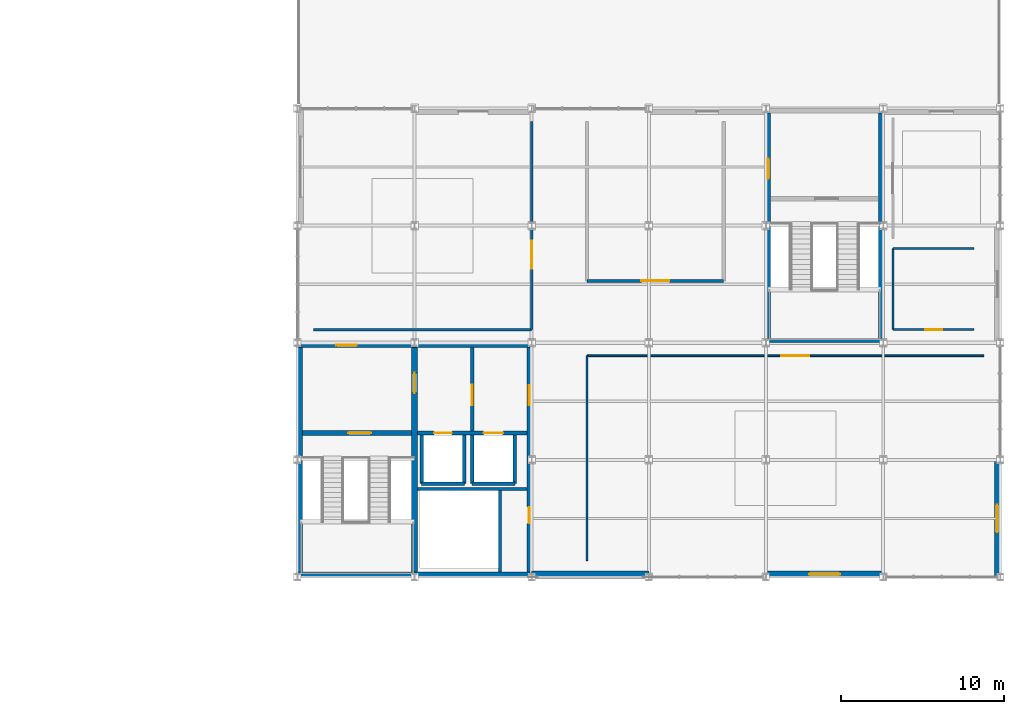
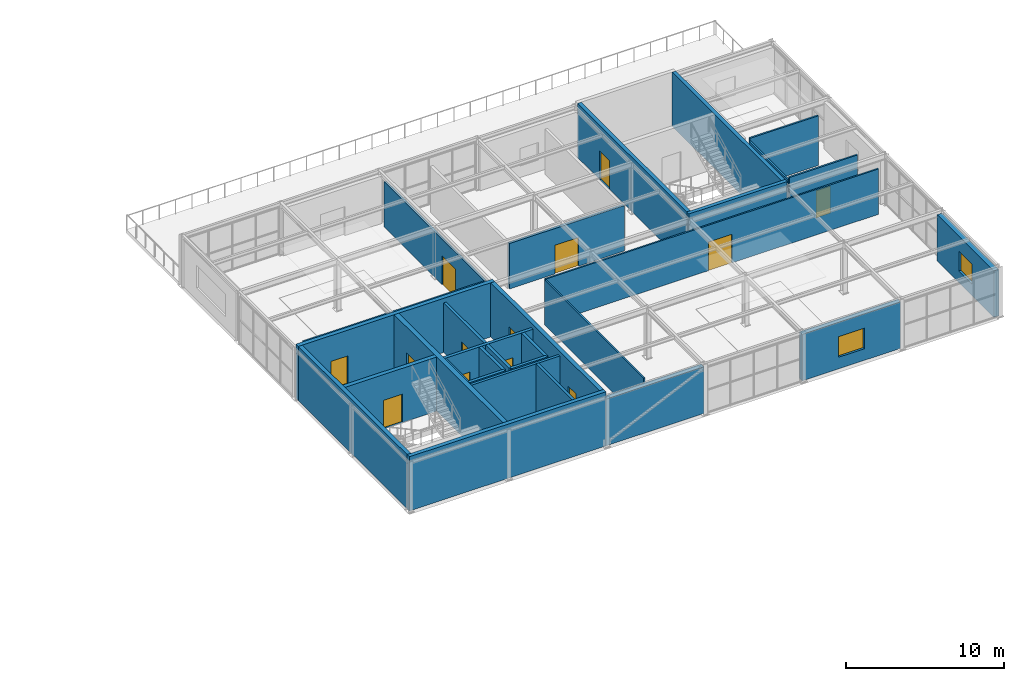
# One storey, part 24 of 30: 30 walls, 13 doors, 2 windows, 15 openings.
"""IFC4 building model written with IfcOpenShell, lengths in metres."""

from ifc_helpers import new_model, si_unit, direction, frame, frame_2d, origin, place, context, subcontext, project, spatial, rectangle, extrude, material, layer, layer_set, type_object, element, fill, save


model = new_model("IFC4")

# Units and contexts
model_context = context("Model", 3, precision=1e-05, world=origin(), true_north=direction((0.0, 1.0)))
body_context = subcontext(model_context, "Body", "Model", "MODEL_VIEW")
ifc_project = project(units=[si_unit("LENGTHUNIT", "METRE"), si_unit("AREAUNIT", "SQUARE_METRE"), si_unit("VOLUMEUNIT", "CUBIC_METRE"), si_unit("PLANEANGLEUNIT", "RADIAN"), si_unit("MASSUNIT", "GRAM", prefix="KILO")], contexts=[model_context])

# Site, building, storey
site_placement = place(None, origin())
site = spatial("IfcSite", under=ifc_project, at=site_placement, CompositionType="ELEMENT")
building_placement = place(site_placement, origin())
building = spatial("IfcBuilding", under=site, at=building_placement, Name="Leyfeld Transit Interchange", CompositionType="ELEMENT")
storey_placement = place(building_placement, frame((0.0, 0.0, 13.800048828125)))
storey = spatial("IfcBuildingStorey", under=building, at=storey_placement, Name="L03", CompositionType="ELEMENT", Elevation=13.800048828125)

# Wall, opening, window
ifc_material_1 = material(Name="Leitha limestone ashlar - Insulated", Category="masonry")
ifc_layer_1 = layer(ifc_material_1, 0.360107421875, Name="Leitha limestone ashlar - Insulated")
ifc_layer_set_1 = layer_set([ifc_layer_1], Name="Leitha limestone ashlar - Insulated")
wall_type_1 = type_object("IfcWallType", Name="WL-EXT-STN-360", PredefinedType="SOLIDWALL", material=ifc_layer_set_1)
wall_1_placement = place(storey_placement, frame((179.820068359375, 64.800048828125, 0.0), z_axis=(0.0, 0.0, 1.0), x_axis=(0.0, -1.0, 0.0)))
wall_1 = element("IfcWall", 1, at=wall_1_placement, inside=storey, type_object=wall_type_1, Name="External Facade Wall EW-L03-117", PredefinedType="SOLIDWALL", context=body_context, shape_type="SweptSolid", body=[
    extrude(rectangle(XDim=7.199951171875, YDim=0.360107421875, at=frame_2d((3.60009765625, 0.0))), origin(), (0.0, 0.0, 1.0), 3.599853515625),
])
opening_1_placement = place(wall_1_placement, frame((2.75, 0.0, 0.89990234375)))
opening_1 = element("IfcOpeningElement", 2, at=opening_1_placement, cuts=wall_1, Name="Opening WM-04", PredefinedType="OPENING", context=body_context, shape_type="SweptSolid", body=[
    extrude(rectangle(XDim=1.699951171875, YDim=1.550048828125, at=frame_2d((0.85009765625, 0.77490234375))), frame((0.0, 0.18994140625, 0.0), z_axis=(0.0, -1.0, 0.0), x_axis=(1.0, 0.0, 0.0)), (0.0, 0.0, 1.0), 0.380126953125),
])
ifc_material_2 = material(Name="Triple low-E insulated glazing", Category="glass")
window_type_1 = type_object("IfcWindowType", Name="WIN-MOD-04", PartitioningType="SINGLE_PANEL", PredefinedType="WINDOW", material=ifc_material_2)
window_1_placement = place(opening_1_placement, origin())
window_1 = element("IfcWindow", 3, at=window_1_placement, inside=storey, type_object=window_type_1, Name="Facade Window L03 081", OverallHeight=1.550048828125, OverallWidth=1.699951171875, PartitioningType="SINGLE_PANEL", PredefinedType="WINDOW", context=body_context, shape_type="SweptSolid", body=[
    extrude(rectangle(XDim=1.699951171875, YDim=1.550048828125, at=frame_2d((0.85009765625, 0.77490234375))), frame((0.0, 0.030029296875, 0.0), z_axis=(0.0, -1.0, 0.0), x_axis=(1.0, 0.0, 0.0)), (0.0, 0.0, 1.0), 0.06005859375),
])
fill(opening_1, window_1)

wall_2_placement = place(storey_placement, frame((172.800048828125, 57.780029296875, 0.0), z_axis=(0.0, 0.0, 1.0), x_axis=(-1.0, 0.0, 0.0)))
wall_2 = element("IfcWall", 4, at=wall_2_placement, inside=storey, type_object=wall_type_1, Name="External Facade Wall EW-L03-118", PredefinedType="SOLIDWALL", context=body_context, shape_type="SweptSolid", body=[
    extrude(rectangle(XDim=7.199951171875, YDim=0.360107421875, at=frame_2d((3.60009765625, 0.0))), origin(), (0.0, 0.0, 1.0), 3.599853515625),
])
opening_2_placement = place(wall_2_placement, frame((2.64990234375, 0.0, 0.89990234375)))
opening_2 = element("IfcOpeningElement", 5, at=opening_2_placement, cuts=wall_2, Name="Opening WM-05", PredefinedType="OPENING", context=body_context, shape_type="SweptSolid", body=[
    extrude(rectangle(XDim=1.89990234375, YDim=1.60009765625, at=frame_2d((0.949951171875, 0.800048828125))), frame((0.0, 0.18994140625, 0.0), z_axis=(0.0, -1.0, 0.0), x_axis=(1.0, 0.0, 0.0)), (0.0, 0.0, 1.0), 0.380126953125),
])
window_type_2 = type_object("IfcWindowType", Name="WIN-MOD-05", PartitioningType="SINGLE_PANEL", PredefinedType="WINDOW", material=ifc_material_2)
window_2_placement = place(opening_2_placement, origin())
window_2 = element("IfcWindow", 6, at=window_2_placement, inside=storey, type_object=window_type_2, Name="Facade Window L03 082", OverallHeight=1.60009765625, OverallWidth=1.89990234375, PartitioningType="SINGLE_PANEL", PredefinedType="WINDOW", context=body_context, shape_type="SweptSolid", body=[
    extrude(rectangle(XDim=1.89990234375, YDim=1.60009765625, at=frame_2d((0.949951171875, 0.800048828125))), frame((0.0, 0.030029296875, 0.0), z_axis=(0.0, -1.0, 0.0), x_axis=(1.0, 0.0, 0.0)), (0.0, 0.0, 1.0), 0.06005859375),
])
fill(opening_2, window_2)

# Walls
wall_3_placement = place(storey_placement, frame((158.39990234375, 57.780029296875, 0.0), z_axis=(0.0, 0.0, 1.0), x_axis=(-1.0, 0.0, 0.0)))
element("IfcWall", 7, at=wall_3_placement, inside=storey, type_object=wall_type_1, Name="External Facade Wall EW-L03-119", PredefinedType="SOLIDWALL", context=body_context, shape_type="SweptSolid", body=[
    extrude(rectangle(XDim=7.199951171875, YDim=0.360107421875, at=frame_2d((3.60009765625, 0.0))), origin(), (0.0, 0.0, 1.0), 3.619873046875),
])
ifc_material_3 = material(Name="Gypsum plasterboard acoustic stud", Category="gypsum")
ifc_layer_2 = layer(ifc_material_3, 0.159912109375, Name="Gypsum plasterboard acoustic stud")
ifc_layer_set_2 = layer_set([ifc_layer_2], Name="Gypsum plasterboard acoustic stud")
wall_type_2 = type_object("IfcWallType", Name="WL-INT-ACU-160", PredefinedType="PARTITIONING", material=ifc_layer_set_2)
wall_4_placement = place(storey_placement, frame((151.199951171875, 72.800048828125, 0.0), z_axis=(0.0, 0.0, 1.0), x_axis=(-1.0, 0.0, 0.0)))
element("IfcWall", 8, at=wall_4_placement, inside=storey, type_object=wall_type_2, Name="Interior Partition L03-SEM-01 S", PredefinedType="PARTITIONING", context=body_context, shape_type="SweptSolid", body=[
    extrude(rectangle(XDim=13.39990234375, YDim=0.159912109375, at=frame_2d((6.699951171875, 0.0))), origin(), (0.0, 0.0, 1.0), 3.579833984375),
])

# Wall, opening, door
wall_5_placement = place(storey_placement, frame((151.199951171875, 85.60009765625, 0.0), z_axis=(0.0, 0.0, 1.0), x_axis=(0.0, -1.0, 0.0)))
wall_5 = element("IfcWall", 9, at=wall_5_placement, inside=storey, type_object=wall_type_2, Name="Interior Partition L03-SEM-01 E", PredefinedType="PARTITIONING", context=body_context, shape_type="SweptSolid", body=[
    extrude(rectangle(XDim=12.800048828125, YDim=0.159912109375, at=frame_2d((6.39990234375, 0.0))), origin(), (0.0, 0.0, 1.0), 3.530029296875),
])
opening_3_placement = place(wall_5_placement, frame((7.340087890625, 0.0, 0.0)))
opening_3 = element("IfcOpeningElement", 10, at=opening_3_placement, cuts=wall_5, Name="Opening DU-18", PredefinedType="OPENING", context=body_context, shape_type="SweptSolid", body=[
    extrude(rectangle(XDim=1.719970703125, YDim=2.219970703125, at=frame_2d((0.85986328125, 1.10986328125))), frame((0.0, 0.08984375, 0.0), z_axis=(0.0, -1.0, 0.0), x_axis=(1.0, 0.0, 0.0)), (0.0, 0.0, 1.0), 0.179931640625),
])
ifc_material_4 = material(Name="Austrian larch glulam GL28h", Category="wood")
door_type_1 = type_object("IfcDoorType", Name="DR-UNQ-18", OperationType="NOTDEFINED", PredefinedType="DOOR", material=ifc_material_4)
door_1_placement = place(opening_3_placement, origin())
door_1 = element("IfcDoor", 11, at=door_1_placement, inside=storey, type_object=door_type_1, Name="DR-L03-SEM-01", OperationType="DOUBLE_DOOR_SINGLE_SWING", OverallHeight=2.219970703125, OverallWidth=1.719970703125, PredefinedType="DOOR", context=body_context, shape_type="SweptSolid", body=[
    extrude(rectangle(XDim=1.719970703125, YDim=2.219970703125, at=frame_2d((0.85986328125, 1.10986328125))), frame((0.0, 0.02490234375, 0.0), z_axis=(0.0, -1.0, 0.0), x_axis=(1.0, 0.0, 0.0)), (0.0, 0.0, 1.0), 0.050048828125),
])
fill(opening_3, door_1)

ifc_material_5 = material(Name="Concrete C35/45", Category="concrete")
ifc_layer_3 = layer(ifc_material_5, 0.199951171875, Name="Concrete C35/45")
ifc_layer_set_3 = layer_set([ifc_layer_3], Name="Concrete C35/45")
wall_type_3 = type_object("IfcWallType", Name="WL-INT-FFL-200", PredefinedType="PARTITIONING", material=ifc_layer_set_3)
wall_6_placement = place(storey_placement, frame((147.550048828125, 66.56005859375, 0.0), z_axis=(0.0, 0.0, 1.0), x_axis=(0.0, 1.0, 0.0)))
wall_6 = element("IfcWall", 12, at=wall_6_placement, inside=storey, type_object=wall_type_3, Name="Core K4 Firefighting Lobby Compartment Wall L03", PredefinedType="PARTITIONING", context=body_context, shape_type="SweptSolid", body=[
    extrude(rectangle(XDim=5.139892578125, YDim=0.199951171875, at=frame_2d((2.56982421875, 0.0))), origin(), (0.0, 0.0, 1.0), 3.849853515625),
])
opening_4_placement = place(wall_6_placement, frame((1.60009765625, 0.0, 0.0)))
opening_4 = element("IfcOpeningElement", 13, at=opening_4_placement, cuts=wall_6, Name="Opening DI-02", PredefinedType="OPENING", context=body_context, shape_type="SweptSolid", body=[
    extrude(rectangle(XDim=1.25, YDim=2.199951171875, at=frame_2d((0.625, 1.10009765625))), frame((0.0, 0.10986328125, 0.0), z_axis=(0.0, -1.0, 0.0), x_axis=(1.0, 0.0, 0.0)), (0.0, 0.0, 1.0), 0.219970703125),
])
ifc_material_6 = material(Name="Galvanised steel S275JR", Category="steel")
door_type_2 = type_object("IfcDoorType", Name="DR-FFL-1250x2200", OperationType="NOTDEFINED", PredefinedType="DOOR", material=ifc_material_6)
door_2_placement = place(opening_4_placement, origin())
door_2 = element("IfcDoor", 14, at=door_2_placement, inside=storey, type_object=door_type_2, Name="DR-FFL-CON-K4-L03", OperationType="SINGLE_SWING_LEFT", OverallHeight=2.199951171875, OverallWidth=1.25, PredefinedType="DOOR", context=body_context, shape_type="SweptSolid", body=[
    extrude(rectangle(XDim=1.25, YDim=2.199951171875, at=frame_2d((0.625, 1.10009765625))), frame((0.0, 0.02490234375, 0.0), z_axis=(0.0, -1.0, 0.0), x_axis=(1.0, 0.0, 0.0)), (0.0, 0.0, 1.0), 0.050048828125),
])
fill(opening_4, door_2)

wall_7_placement = place(storey_placement, frame((163.0, 75.800048828125, 0.0), z_axis=(0.0, 0.0, 1.0), x_axis=(-1.0, 0.0, 0.0)))
wall_7 = element("IfcWall", 15, at=wall_7_placement, inside=storey, type_object=wall_type_3, Name="Interior Partition L03-LAB-01 S", PredefinedType="PARTITIONING", context=body_context, shape_type="SweptSolid", body=[
    extrude(rectangle(XDim=8.39990234375, YDim=0.199951171875, at=frame_2d((4.199951171875, 0.0))), origin(), (0.0, 0.0, 1.0), 3.52001953125),
])
opening_5_placement = place(wall_7_placement, frame((3.340087890625, 0.0, 0.0)))
opening_5 = element("IfcOpeningElement", 16, at=opening_5_placement, cuts=wall_7, Name="Opening DU-18", PredefinedType="OPENING", context=body_context, shape_type="SweptSolid", body=[
    extrude(rectangle(XDim=1.719970703125, YDim=2.219970703125, at=frame_2d((0.85986328125, 1.10986328125))), frame((0.0, 0.10986328125, 0.0), z_axis=(0.0, -1.0, 0.0), x_axis=(1.0, 0.0, 0.0)), (0.0, 0.0, 1.0), 0.219970703125),
])
door_3_placement = place(opening_5_placement, origin())
door_3 = element("IfcDoor", 17, at=door_3_placement, inside=storey, type_object=door_type_1, Name="DR-L03-LAB-01", OperationType="DOUBLE_DOOR_SINGLE_SWING", OverallHeight=2.219970703125, OverallWidth=1.719970703125, PredefinedType="DOOR", context=body_context, shape_type="SweptSolid", body=[
    extrude(rectangle(XDim=1.719970703125, YDim=2.219970703125, at=frame_2d((0.85986328125, 1.10986328125))), frame((0.0, 0.02490234375, 0.0), z_axis=(0.0, -1.0, 0.0), x_axis=(1.0, 0.0, 0.0)), (0.0, 0.0, 1.0), 0.050048828125),
])
fill(opening_5, door_3)

ifc_layer_4 = layer(ifc_material_3, 0.114990234375, Name="Gypsum plasterboard acoustic stud")
ifc_layer_set_4 = layer_set([ifc_layer_4], Name="Gypsum plasterboard acoustic stud")
wall_type_4 = type_object("IfcWallType", Name="WL-INT-OFF-115", PredefinedType="PARTITIONING", material=ifc_layer_set_4)
wall_8_placement = place(storey_placement, frame((154.60009765625, 71.199951171875, 0.0), z_axis=(0.0, 0.0, 1.0), x_axis=(1.0, 0.0, 0.0)))
wall_8 = element("IfcWall", 18, at=wall_8_placement, inside=storey, type_object=wall_type_4, Name="Interior Partition L03-STU-01 N", PredefinedType="PARTITIONING", context=body_context, shape_type="SweptSolid", body=[
    extrude(rectangle(XDim=24.39990234375, YDim=0.114990234375, at=frame_2d((12.199951171875, 0.0))), origin(), (0.0, 0.0, 1.0), 3.52001953125),
])
opening_6_placement = place(wall_8_placement, frame((11.93994140625, 0.0, 0.0)))
opening_6 = element("IfcOpeningElement", 19, at=opening_6_placement, cuts=wall_8, Name="Opening DU-18", PredefinedType="OPENING", context=body_context, shape_type="SweptSolid", body=[
    extrude(rectangle(XDim=1.719970703125, YDim=2.219970703125, at=frame_2d((0.85986328125, 1.10986328125))), frame((0.0, 0.0673828125, 0.0), z_axis=(0.0, -1.0, 0.0), x_axis=(1.0, 0.0, 0.0)), (0.0, 0.0, 1.0), 0.135009765625),
])
door_4_placement = place(opening_6_placement, origin())
door_4 = element("IfcDoor", 20, at=door_4_placement, inside=storey, type_object=door_type_1, Name="DR-L03-STU-01", OperationType="DOUBLE_DOOR_SINGLE_SWING", OverallHeight=2.219970703125, OverallWidth=1.719970703125, PredefinedType="DOOR", context=body_context, shape_type="SweptSolid", body=[
    extrude(rectangle(XDim=1.719970703125, YDim=2.219970703125, at=frame_2d((0.85986328125, 1.10986328125))), frame((0.0, 0.02490234375, 0.0), z_axis=(0.0, -1.0, 0.0), x_axis=(1.0, 0.0, 0.0)), (0.0, 0.0, 1.0), 0.050048828125),
])
fill(opening_6, door_4)

# Walls
wall_9_placement = place(storey_placement, frame((154.60009765625, 58.60009765625, 0.0), z_axis=(0.0, 0.0, 1.0), x_axis=(0.0, 1.0, 0.0)))
element("IfcWall", 21, at=wall_9_placement, inside=storey, type_object=wall_type_4, Name="Interior Partition L03-STU-01 W", PredefinedType="PARTITIONING", context=body_context, shape_type="SweptSolid", body=[
    extrude(rectangle(XDim=12.599853515625, YDim=0.114990234375, at=frame_2d((6.2998046875, 0.0))), origin(), (0.0, 0.0, 1.0), 3.469970703125),
])
ifc_material_7 = material(Name="Calcium silicate masonry", Category="masonry")
ifc_layer_5 = layer(ifc_material_7, 0.18994140625, Name="Calcium silicate masonry")
ifc_layer_set_5 = layer_set([ifc_layer_5], Name="Calcium silicate masonry")
wall_type_5 = type_object("IfcWallType", Name="WL-INT-PLT-190", PredefinedType="PARTITIONING", material=ifc_layer_set_5)
wall_10_placement = place(storey_placement, frame((144.179931640625, 63.02001953125, 0.0), z_axis=(0.0, 0.0, 1.0), x_axis=(1.0, 0.0, 0.0)))
element("IfcWall", 22, at=wall_10_placement, inside=storey, type_object=wall_type_5, Name="Core K4 Riser Compartment Wall L03", PredefinedType="PARTITIONING", context=body_context, shape_type="SweptSolid", body=[
    extrude(rectangle(XDim=6.719970703125, YDim=0.18994140625, at=frame_2d((3.35986328125, 0.0))), origin(), (0.0, 0.0, 1.0), 3.849853515625),
])
wall_11_placement = place(storey_placement, frame((149.25, 57.89990234375, 0.0), z_axis=(0.0, 0.0, 1.0), x_axis=(0.0, 1.0, 0.0)))
element("IfcWall", 23, at=wall_11_placement, inside=storey, type_object=wall_type_5, Name="Core K4 Riser Shaft East Wall L03", PredefinedType="PARTITIONING", context=body_context, shape_type="SweptSolid", body=[
    extrude(rectangle(XDim=5.030029296875, YDim=0.18994140625, at=frame_2d((2.51513671875, 0.0))), origin(), (0.0, 0.0, 1.0), 3.849853515625),
])

# Wall, openings, doors
ifc_layer_6 = layer(ifc_material_5, 0.219970703125, Name="Concrete C35/45")
ifc_layer_set_6 = layer_set([ifc_layer_6], Name="Concrete C35/45")
wall_type_6 = type_object("IfcWallType", Name="WL-INT-SHF-220", PredefinedType="PARTITIONING", material=ifc_layer_set_6)
wall_12_placement = place(storey_placement, frame((144.179931640625, 66.449951171875, 0.0), z_axis=(0.0, 0.0, 1.0), x_axis=(1.0, 0.0, 0.0)))
wall_12 = element("IfcWall", 24, at=wall_12_placement, inside=storey, type_object=wall_type_6, Name="Core K4 Lift Shaft Front Wall L03", PredefinedType="PARTITIONING", context=body_context, shape_type="SweptSolid", body=[
    extrude(rectangle(XDim=6.719970703125, YDim=0.219970703125, at=frame_2d((3.35986328125, 0.0))), origin(), (0.0, 0.0, 1.0), 3.849853515625),
])
opening_7_placement = place(wall_12_placement, frame((1.02001953125, 0.0, 0.0)))
opening_7 = element("IfcOpeningElement", 25, at=opening_7_placement, cuts=wall_12, Name="Opening LD-01", PredefinedType="OPENING", context=body_context, shape_type="SweptSolid", body=[
    extrude(rectangle(XDim=1.10009765625, YDim=2.14990234375, at=frame_2d((0.550048828125, 1.074951171875))), frame((0.0, 0.119873046875, 0.0), z_axis=(0.0, -1.0, 0.0), x_axis=(1.0, 0.0, 0.0)), (0.0, 0.0, 1.0), 0.239990234375),
])
opening_8_placement = place(wall_12_placement, frame((4.070068359375, 0.0, 0.0)))
opening_8 = element("IfcOpeningElement", 26, at=opening_8_placement, cuts=wall_12, Name="Opening LD-02", PredefinedType="OPENING", context=body_context, shape_type="SweptSolid", body=[
    extrude(rectangle(XDim=1.199951171875, YDim=2.14990234375, at=frame_2d((0.60009765625, 1.074951171875))), frame((0.0, 0.119873046875, 0.0), z_axis=(0.0, -1.0, 0.0), x_axis=(1.0, 0.0, 0.0)), (0.0, 0.0, 1.0), 0.239990234375),
])
ifc_material_8 = material(Name="Stainless steel EN 1.4404", Category="steel")
door_type_3 = type_object("IfcDoorType", Name="DR-LD-FFL-1100x2150", OperationType="NOTDEFINED", PredefinedType="DOOR", material=ifc_material_8)
door_5_placement = place(opening_7_placement, origin())
door_5 = element("IfcDoor", 27, at=door_5_placement, inside=storey, type_object=door_type_3, Name="LD-FFL-2-L03", OperationType="DOUBLE_DOOR_SLIDING", OverallHeight=2.14990234375, OverallWidth=1.10009765625, PredefinedType="DOOR", context=body_context, shape_type="SweptSolid", body=[
    extrude(rectangle(XDim=1.10009765625, YDim=2.14990234375, at=frame_2d((0.550048828125, 1.074951171875))), frame((0.0, 0.02490234375, 0.0), z_axis=(0.0, -1.0, 0.0), x_axis=(1.0, 0.0, 0.0)), (0.0, 0.0, 1.0), 0.050048828125),
])
fill(opening_7, door_5)
door_type_4 = type_object("IfcDoorType", Name="DR-LD-PAS-1200x2150", OperationType="NOTDEFINED", PredefinedType="DOOR", material=ifc_material_8)
door_6_placement = place(opening_8_placement, origin())
door_6 = element("IfcDoor", 28, at=door_6_placement, inside=storey, type_object=door_type_4, Name="LD-PL-4-L03", OperationType="DOUBLE_DOOR_SLIDING", OverallHeight=2.14990234375, OverallWidth=1.199951171875, PredefinedType="DOOR", context=body_context, shape_type="SweptSolid", body=[
    extrude(rectangle(XDim=1.199951171875, YDim=2.14990234375, at=frame_2d((0.60009765625, 1.074951171875))), frame((0.0, 0.02490234375, 0.0), z_axis=(0.0, -1.0, 0.0), x_axis=(1.0, 0.0, 0.0)), (0.0, 0.0, 1.0), 0.050048828125),
])
fill(opening_8, door_6)

# Walls
wall_13_placement = place(storey_placement, frame((144.43994140625, 63.340087890625, 0.0), z_axis=(0.0, 0.0, 1.0), x_axis=(1.0, 0.0, 0.0)))
element("IfcWall", 29, at=wall_13_placement, inside=storey, type_object=wall_type_6, Name="Core K4 Lift FFL-2 Shaft Back Wall L03", PredefinedType="PARTITIONING", context=body_context, shape_type="SweptSolid", body=[
    extrude(rectangle(XDim=2.6201171875, YDim=0.219970703125, at=frame_2d((1.31005859375, 0.0))), origin(), (0.0, 0.0, 1.0), 3.849853515625),
])
for number, where, z_axis, x_axis, name in (
    (30, (144.43994140625, 63.340087890625, 0.0), (0.0, 0.0, 1.0), (0.0, 1.0, 0.0), "Core K4 Lift FFL-2 Shaft Wall W L03"),
    (31, (147.06005859375, 63.340087890625, 0.0), (0.0, 0.0, 1.0), (0.0, 1.0, 0.0), "Core K4 Lift FFL-2 Shaft Wall E L03"),
):
    element("IfcWall", number, at=place(storey_placement, frame(where, z_axis=z_axis, x_axis=x_axis)), inside=storey, type_object=wall_type_6, Name=name, PredefinedType="PARTITIONING", context=body_context, shape_type="SweptSolid", body=[
        extrude(rectangle(XDim=3.0, YDim=0.219970703125, at=frame_2d((1.5, 0.0))), origin(), (0.0, 0.0, 1.0), 3.849853515625),
    ])
wall_14_placement = place(storey_placement, frame((147.5400390625, 63.340087890625, 0.0), z_axis=(0.0, 0.0, 1.0), x_axis=(1.0, 0.0, 0.0)))
element("IfcWall", 32, at=wall_14_placement, inside=storey, type_object=wall_type_6, Name="Core K4 Lift PL-4 Shaft Back Wall L03", PredefinedType="PARTITIONING", context=body_context, shape_type="SweptSolid", body=[
    extrude(rectangle(XDim=2.619873046875, YDim=0.219970703125, at=frame_2d((1.31005859375, 0.0))), origin(), (0.0, 0.0, 1.0), 3.849853515625),
])
for number, where, z_axis, x_axis, name in (
    (33, (147.5400390625, 63.340087890625, 0.0), (0.0, 0.0, 1.0), (0.0, 1.0, 0.0), "Core K4 Lift PL-4 Shaft Wall W L03"),
    (34, (150.159912109375, 63.340087890625, 0.0), (0.0, 0.0, 1.0), (0.0, 1.0, 0.0), "Core K4 Lift PL-4 Shaft Wall E L03"),
):
    element("IfcWall", number, at=place(storey_placement, frame(where, z_axis=z_axis, x_axis=x_axis)), inside=storey, type_object=wall_type_6, Name=name, PredefinedType="PARTITIONING", context=body_context, shape_type="SweptSolid", body=[
        extrude(rectangle(XDim=3.0, YDim=0.219970703125, at=frame_2d((1.5, 0.0))), origin(), (0.0, 0.0, 1.0), 3.849853515625),
    ])
ifc_material_9 = material(Name="Autoclaved aerated blockwork G4", Category="masonry")
ifc_layer_7 = layer(ifc_material_9, 0.125, Name="Autoclaved aerated blockwork G4")
ifc_layer_set_7 = layer_set([ifc_layer_7], Name="Autoclaved aerated blockwork G4")
wall_type_7 = type_object("IfcWallType", Name="WL-INT-WC-125", PredefinedType="PARTITIONING", material=ifc_layer_set_7)
wall_15_placement = place(storey_placement, frame((173.39990234375, 77.800048828125, 0.0), z_axis=(0.0, 0.0, 1.0), x_axis=(1.0, 0.0, 0.0)))
element("IfcWall", 35, at=wall_15_placement, inside=storey, type_object=wall_type_7, Name="Interior Partition L03-WCA-02 N", PredefinedType="PARTITIONING", context=body_context, shape_type="SweptSolid", body=[
    extrude(rectangle(XDim=5.0, YDim=0.125, at=frame_2d((2.5, 0.0))), origin(), (0.0, 0.0, 1.0), 3.849853515625),
])

# Wall, opening, door
wall_16_placement = place(storey_placement, frame((178.39990234375, 72.800048828125, 0.0), z_axis=(0.0, 0.0, 1.0), x_axis=(-1.0, 0.0, 0.0)))
wall_16 = element("IfcWall", 36, at=wall_16_placement, inside=storey, type_object=wall_type_7, Name="Interior Partition L03-WCA-02 S", PredefinedType="PARTITIONING", context=body_context, shape_type="SweptSolid", body=[
    extrude(rectangle(XDim=5.0, YDim=0.125, at=frame_2d((2.5, 0.0))), origin(), (0.0, 0.0, 1.0), 3.849853515625),
])
opening_9_placement = place(wall_16_placement, frame((1.97509765625, 0.0, 0.0)))
opening_9 = element("IfcOpeningElement", 37, at=opening_9_placement, cuts=wall_16, Name="Opening DI-09", PredefinedType="OPENING", context=body_context, shape_type="SweptSolid", body=[
    extrude(rectangle(XDim=1.050048828125, YDim=2.10009765625, at=frame_2d((0.52490234375, 1.050048828125))), frame((0.0, 0.072509765625, 0.0), z_axis=(0.0, -1.0, 0.0), x_axis=(1.0, 0.0, 0.0)), (0.0, 0.0, 1.0), 0.14501953125),
])
door_type_5 = type_object("IfcDoorType", Name="DR-WCA-1050x2100", OperationType="NOTDEFINED", PredefinedType="DOOR", material=ifc_material_4)
door_7_placement = place(opening_9_placement, origin())
door_7 = element("IfcDoor", 38, at=door_7_placement, inside=storey, type_object=door_type_5, Name="DR-L03-WCA-02", OperationType="SINGLE_SWING_RIGHT", OverallHeight=2.10009765625, OverallWidth=1.050048828125, PredefinedType="DOOR", context=body_context, shape_type="SweptSolid", body=[
    extrude(rectangle(XDim=1.050048828125, YDim=2.10009765625, at=frame_2d((0.52490234375, 1.050048828125))), frame((0.0, 0.02490234375, 0.0), z_axis=(0.0, -1.0, 0.0), x_axis=(1.0, 0.0, 0.0)), (0.0, 0.0, 1.0), 0.050048828125),
])
fill(opening_9, door_7)

# Wall
wall_17_placement = place(storey_placement, frame((173.39990234375, 72.800048828125, 0.0), z_axis=(0.0, 0.0, 1.0), x_axis=(0.0, 1.0, 0.0)))
element("IfcWall", 39, at=wall_17_placement, inside=storey, type_object=wall_type_7, Name="Interior Partition L03-WCA-02 W", PredefinedType="PARTITIONING", context=body_context, shape_type="SweptSolid", body=[
    extrude(rectangle(XDim=5.0, YDim=0.125, at=frame_2d((2.5, 0.0))), origin(), (0.0, 0.0, 1.0), 3.6298828125),
])

# Wall, opening, door
ifc_layer_8 = layer(ifc_material_5, 0.300048828125, Name="Concrete C35/45")
ifc_layer_set_8 = layer_set([ifc_layer_8], Name="Concrete C35/45")
wall_type_8 = type_object("IfcWallType", Name="WL-SH-300", PredefinedType="SHEAR", material=ifc_layer_set_8)
wall_18_placement = place(storey_placement, frame((136.800048828125, 71.85009765625, 0.0), z_axis=(0.0, 0.0, 1.0), x_axis=(1.0, 0.0, 0.0)))
wall_18 = element("IfcWall", 40, at=wall_18_placement, inside=storey, type_object=wall_type_8, Name="Core K4 Shear Wall N L03", PredefinedType="SHEAR", context=body_context, shape_type="SweptSolid", body=[
    extrude(rectangle(XDim=14.39990234375, YDim=0.300048828125, at=frame_2d((7.199951171875, 0.0))), origin(), (0.0, 0.0, 1.0), 4.199951171875),
])
opening_10_placement = place(wall_18_placement, frame((2.39990234375, 0.0, 0.0)))
opening_10 = element("IfcOpeningElement", 41, at=opening_10_placement, cuts=wall_18, Name="Opening DI-02", PredefinedType="OPENING", context=body_context, shape_type="SweptSolid", body=[
    extrude(rectangle(XDim=1.25, YDim=2.199951171875, at=frame_2d((0.625, 1.10009765625))), frame((0.0, 0.159912109375, 0.0), z_axis=(0.0, -1.0, 0.0), x_axis=(1.0, 0.0, 0.0)), (0.0, 0.0, 1.0), 0.320068359375),
])
door_8_placement = place(opening_10_placement, origin())
door_8 = element("IfcDoor", 42, at=door_8_placement, inside=storey, type_object=door_type_2, Name="DR-CORE-OUT-K4-L03-N", OperationType="SINGLE_SWING_LEFT", OverallHeight=2.199951171875, OverallWidth=1.25, PredefinedType="DOOR", context=body_context, shape_type="SweptSolid", body=[
    extrude(rectangle(XDim=1.25, YDim=2.199951171875, at=frame_2d((0.625, 1.10009765625))), frame((0.0, 0.02490234375, 0.0), z_axis=(0.0, -1.0, 0.0), x_axis=(1.0, 0.0, 0.0)), (0.0, 0.0, 1.0), 0.050048828125),
])
fill(opening_10, door_8)

# Wall, openings, doors
wall_19_placement = place(storey_placement, frame((151.050048828125, 71.699951171875, 0.0), z_axis=(0.0, 0.0, 1.0), x_axis=(0.0, -1.0, 0.0)))
wall_19 = element("IfcWall", 43, at=wall_19_placement, inside=storey, type_object=wall_type_8, Name="Core K4 Shear Wall E L03", PredefinedType="SHEAR", context=body_context, shape_type="SweptSolid", body=[
    extrude(rectangle(XDim=13.800048828125, YDim=0.300048828125, at=frame_2d((6.89990234375, 0.0))), origin(), (0.0, 0.0, 1.0), 4.199951171875),
])
opening_11_placement = place(wall_19_placement, frame((9.800048828125, 0.0, 0.0)))
opening_11 = element("IfcOpeningElement", 44, at=opening_11_placement, cuts=wall_19, Name="Opening DI-05", PredefinedType="OPENING", context=body_context, shape_type="SweptSolid", body=[
    extrude(rectangle(XDim=1.0, YDim=2.14990234375, at=frame_2d((0.5, 1.074951171875))), frame((0.0, 0.159912109375, 0.0), z_axis=(0.0, -1.0, 0.0), x_axis=(1.0, 0.0, 0.0)), (0.0, 0.0, 1.0), 0.320068359375),
])
opening_12_placement = place(wall_19_placement, frame((2.300048828125, 0.0, 0.0)))
opening_12 = element("IfcOpeningElement", 45, at=opening_12_placement, cuts=wall_19, Name="Opening DI-02", PredefinedType="OPENING", context=body_context, shape_type="SweptSolid", body=[
    extrude(rectangle(XDim=1.25, YDim=2.199951171875, at=frame_2d((0.625, 1.10009765625))), frame((0.0, 0.159912109375, 0.0), z_axis=(0.0, -1.0, 0.0), x_axis=(1.0, 0.0, 0.0)), (0.0, 0.0, 1.0), 0.320068359375),
])
door_9_placement = place(opening_12_placement, origin())
door_9 = element("IfcDoor", 46, at=door_9_placement, inside=storey, type_object=door_type_2, Name="DR-CORE-OUT-K4-L03-E", OperationType="SINGLE_SWING_RIGHT", OverallHeight=2.199951171875, OverallWidth=1.25, PredefinedType="DOOR", context=body_context, shape_type="SweptSolid", body=[
    extrude(rectangle(XDim=1.25, YDim=2.199951171875, at=frame_2d((0.625, 1.10009765625))), frame((0.0, 0.02490234375, 0.0), z_axis=(0.0, -1.0, 0.0), x_axis=(1.0, 0.0, 0.0)), (0.0, 0.0, 1.0), 0.050048828125),
])
fill(opening_12, door_9)
door_type_6 = type_object("IfcDoorType", Name="DR-OFF-1000x2150", OperationType="NOTDEFINED", PredefinedType="DOOR", material=ifc_material_4)
door_10_placement = place(opening_11_placement, origin())
door_10 = element("IfcDoor", 47, at=door_10_placement, inside=storey, type_object=door_type_6, Name="DR-RSR-K4-L03", OperationType="SINGLE_SWING_RIGHT", OverallHeight=2.14990234375, OverallWidth=1.0, PredefinedType="DOOR", context=body_context, shape_type="SweptSolid", body=[
    extrude(rectangle(XDim=1.0, YDim=2.14990234375, at=frame_2d((0.5, 1.074951171875))), frame((0.0, 0.02490234375, 0.0), z_axis=(0.0, -1.0, 0.0), x_axis=(1.0, 0.0, 0.0)), (0.0, 0.0, 1.0), 0.050048828125),
])
fill(opening_11, door_10)

# Walls
wall_20_placement = place(storey_placement, frame((151.199951171875, 57.75, 0.0), z_axis=(0.0, 0.0, 1.0), x_axis=(-1.0, 0.0, 0.0)))
element("IfcWall", 48, at=wall_20_placement, inside=storey, type_object=wall_type_8, Name="Core K4 Shear Wall S L03", PredefinedType="SHEAR", context=body_context, shape_type="SweptSolid", body=[
    extrude(rectangle(XDim=14.39990234375, YDim=0.300048828125, at=frame_2d((7.199951171875, 0.0))), origin(), (0.0, 0.0, 1.0), 4.199951171875),
])
wall_21_placement = place(storey_placement, frame((136.949951171875, 57.89990234375, 0.0), z_axis=(0.0, 0.0, 1.0), x_axis=(0.0, 1.0, 0.0)))
element("IfcWall", 49, at=wall_21_placement, inside=storey, type_object=wall_type_8, Name="Core K4 Shear Wall W L03", PredefinedType="SHEAR", context=body_context, shape_type="SweptSolid", body=[
    extrude(rectangle(XDim=13.800048828125, YDim=0.300048828125, at=frame_2d((6.89990234375, 0.0))), origin(), (0.0, 0.0, 1.0), 4.199951171875),
])

# Wall, opening, door
wall_22_placement = place(storey_placement, frame((137.10009765625, 66.449951171875, 0.0), z_axis=(0.0, 0.0, 1.0), x_axis=(1.0, 0.0, 0.0)))
wall_22 = element("IfcWall", 50, at=wall_22_placement, inside=storey, type_object=wall_type_8, Name="Core K4 Shear Wall STRN L03", PredefinedType="SHEAR", context=body_context, shape_type="SweptSolid", body=[
    extrude(rectangle(XDim=6.724853515625, YDim=0.300048828125, at=frame_2d((3.3623046875, 0.0))), origin(), (0.0, 0.0, 1.0), 4.199951171875),
])
opening_13_placement = place(wall_22_placement, frame((2.824951171875, 0.0, 0.0)))
opening_13 = element("IfcOpeningElement", 51, at=opening_13_placement, cuts=wall_22, Name="Opening DI-01", PredefinedType="OPENING", context=body_context, shape_type="SweptSolid", body=[
    extrude(rectangle(XDim=1.39990234375, YDim=2.199951171875, at=frame_2d((0.699951171875, 1.10009765625))), frame((0.0, 0.159912109375, 0.0), z_axis=(0.0, -1.0, 0.0), x_axis=(1.0, 0.0, 0.0)), (0.0, 0.0, 1.0), 0.320068359375),
])
door_type_7 = type_object("IfcDoorType", Name="DR-STR-1400x2200", OperationType="NOTDEFINED", PredefinedType="DOOR", material=ifc_material_6)
door_11_placement = place(opening_13_placement, origin())
door_11 = element("IfcDoor", 52, at=door_11_placement, inside=storey, type_object=door_type_7, Name="DR-STR-INT-K4-L03", OperationType="SINGLE_SWING_RIGHT", OverallHeight=2.199951171875, OverallWidth=1.39990234375, PredefinedType="DOOR", context=body_context, shape_type="SweptSolid", body=[
    extrude(rectangle(XDim=1.39990234375, YDim=2.199951171875, at=frame_2d((0.699951171875, 1.10009765625))), frame((0.0, 0.02490234375, 0.0), z_axis=(0.0, -1.0, 0.0), x_axis=(1.0, 0.0, 0.0)), (0.0, 0.0, 1.0), 0.050048828125),
])
fill(opening_13, door_11)

ifc_layer_9 = layer(ifc_material_5, 0.35009765625, Name="Concrete C35/45")
ifc_layer_set_9 = layer_set([ifc_layer_9], Name="Concrete C35/45")
wall_type_9 = type_object("IfcWallType", Name="WL-SH-350", PredefinedType="SHEAR", material=ifc_layer_set_9)
wall_23_placement = place(storey_placement, frame((144.0, 71.699951171875, 0.0), z_axis=(0.0, 0.0, 1.0), x_axis=(0.0, -1.0, 0.0)))
wall_23 = element("IfcWall", 53, at=wall_23_placement, inside=storey, type_object=wall_type_9, Name="Core K4 Shear Wall MID L03", PredefinedType="SHEAR", context=body_context, shape_type="SweptSolid", body=[
    extrude(rectangle(XDim=13.800048828125, YDim=0.35009765625, at=frame_2d((6.89990234375, 0.0))), origin(), (0.0, 0.0, 1.0), 4.199951171875),
])
opening_14_placement = place(wall_23_placement, frame((1.550048828125, 0.0, 0.0)))
opening_14 = element("IfcOpeningElement", 54, at=opening_14_placement, cuts=wall_23, Name="Opening DI-02", PredefinedType="OPENING", context=body_context, shape_type="SweptSolid", body=[
    extrude(rectangle(XDim=1.25, YDim=2.199951171875, at=frame_2d((0.625, 1.10009765625))), frame((0.0, 0.18505859375, 0.0), z_axis=(0.0, -1.0, 0.0), x_axis=(1.0, 0.0, 0.0)), (0.0, 0.0, 1.0), 0.3701171875),
])
door_12_placement = place(opening_14_placement, origin())
door_12 = element("IfcDoor", 55, at=door_12_placement, inside=storey, type_object=door_type_2, Name="DR-CORE-MID-K4-L03", OperationType="SINGLE_SWING_LEFT", OverallHeight=2.199951171875, OverallWidth=1.25, PredefinedType="DOOR", context=body_context, shape_type="SweptSolid", body=[
    extrude(rectangle(XDim=1.25, YDim=2.199951171875, at=frame_2d((0.625, 1.10009765625))), frame((0.0, 0.02490234375, 0.0), z_axis=(0.0, -1.0, 0.0), x_axis=(1.0, 0.0, 0.0)), (0.0, 0.0, 1.0), 0.050048828125),
])
fill(opening_14, door_12)

# Walls
ifc_layer_10 = layer(ifc_material_5, 0.27001953125, Name="Concrete C35/45")
ifc_layer_set_10 = layer_set([ifc_layer_10], Name="Concrete C35/45")
wall_type_10 = type_object("IfcWallType", Name="WL-SH-VAR-270", PredefinedType="SHEAR", material=ifc_layer_set_10)
wall_24_placement = place(storey_placement, frame((172.6650390625, 86.1298828125, 0.0), z_axis=(0.0, 0.0, 1.0), x_axis=(0.0, -1.0, 0.0)))
element("IfcWall", 56, at=wall_24_placement, inside=storey, type_object=wall_type_10, Name="Core K5 Shear Wall E L03", PredefinedType="SHEAR", context=body_context, shape_type="SweptSolid", body=[
    extrude(rectangle(XDim=13.85986328125, YDim=0.27001953125, at=frame_2d((6.929931640625, 0.0))), origin(), (0.0, 0.0, 1.0), 4.199951171875),
])
wall_25_placement = place(storey_placement, frame((172.800048828125, 72.135009765625, 0.0), z_axis=(0.0, 0.0, 1.0), x_axis=(-1.0, 0.0, 0.0)))
element("IfcWall", 57, at=wall_25_placement, inside=storey, type_object=wall_type_10, Name="Core K5 Shear Wall S L03", PredefinedType="SHEAR", context=body_context, shape_type="SweptSolid", body=[
    extrude(rectangle(XDim=7.199951171875, YDim=0.27001953125, at=frame_2d((3.60009765625, 0.0))), origin(), (0.0, 0.0, 1.0), 4.199951171875),
])

# Wall, opening, door
wall_26_placement = place(storey_placement, frame((165.735107421875, 72.27001953125, 0.0), z_axis=(0.0, 0.0, 1.0), x_axis=(0.0, 1.0, 0.0)))
wall_26 = element("IfcWall", 58, at=wall_26_placement, inside=storey, type_object=wall_type_10, Name="Core K5 Shear Wall W L03", PredefinedType="SHEAR", context=body_context, shape_type="SweptSolid", body=[
    extrude(rectangle(XDim=13.85986328125, YDim=0.27001953125, at=frame_2d((6.929931640625, 0.0))), origin(), (0.0, 0.0, 1.0), 4.199951171875),
])
opening_15_placement = place(wall_26_placement, frame((9.800048828125, 0.0, 0.0)))
opening_15 = element("IfcOpeningElement", 59, at=opening_15_placement, cuts=wall_26, Name="Opening DI-02", PredefinedType="OPENING", context=body_context, shape_type="SweptSolid", body=[
    extrude(rectangle(XDim=1.25, YDim=2.199951171875, at=frame_2d((0.625, 1.10009765625))), frame((0.0, 0.14501953125, 0.0), z_axis=(0.0, -1.0, 0.0), x_axis=(1.0, 0.0, 0.0)), (0.0, 0.0, 1.0), 0.2900390625),
])
door_13_placement = place(opening_15_placement, origin())
door_13 = element("IfcDoor", 60, at=door_13_placement, inside=storey, type_object=door_type_2, Name="DR-CORE-OUT-K5-L03", OperationType="SINGLE_SWING_RIGHT", OverallHeight=2.199951171875, OverallWidth=1.25, PredefinedType="DOOR", context=body_context, shape_type="SweptSolid", body=[
    extrude(rectangle(XDim=1.25, YDim=2.199951171875, at=frame_2d((0.625, 1.10009765625))), frame((0.0, 0.02490234375, 0.0), z_axis=(0.0, -1.0, 0.0), x_axis=(1.0, 0.0, 0.0)), (0.0, 0.0, 1.0), 0.050048828125),
])
fill(opening_15, door_13)

save(model, "model.ifc")
